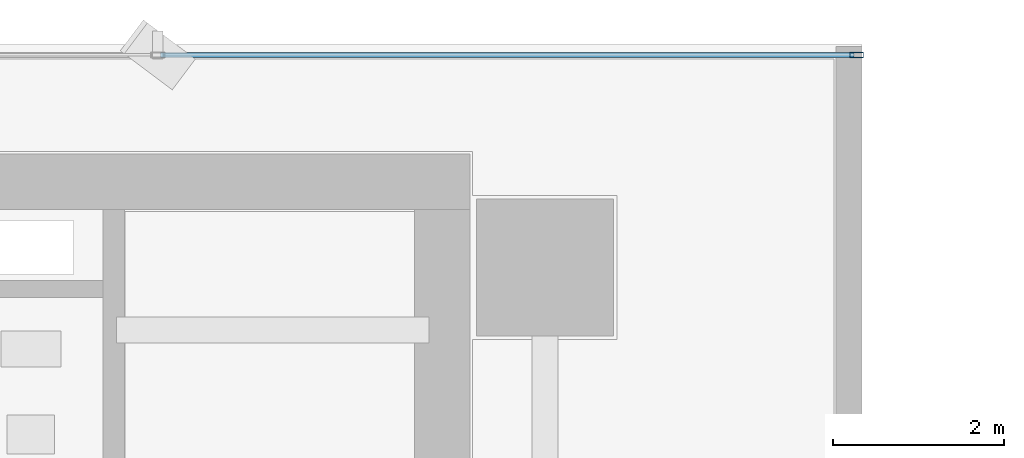
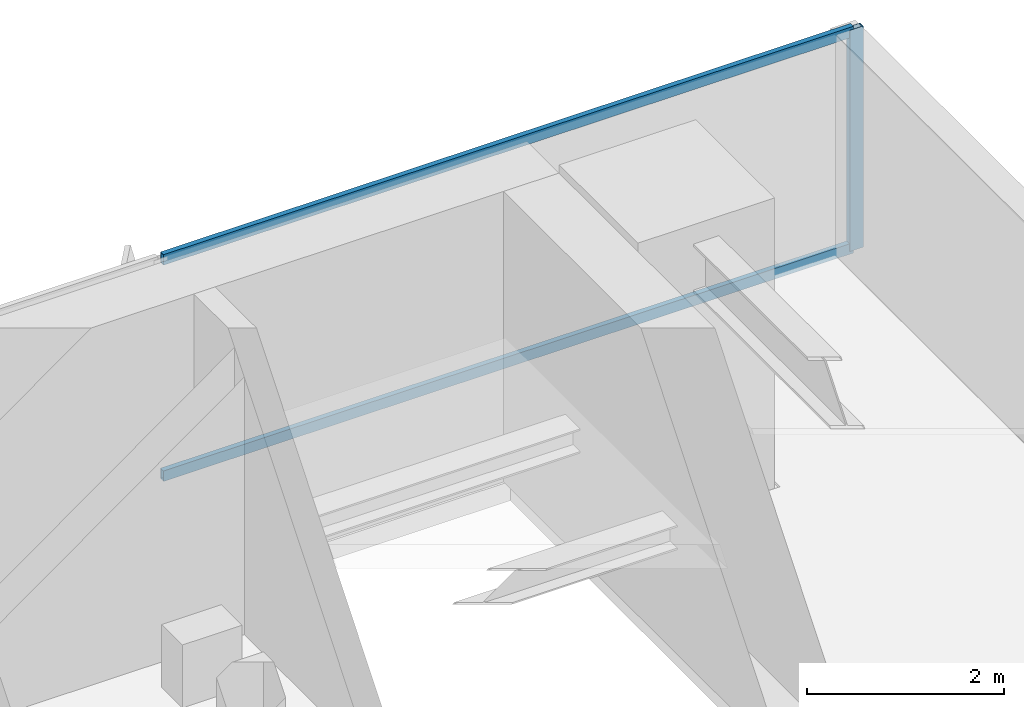
# One storey, part 26 of 36: 3 members, 1 element without a shape of its own.
"""IFC4 building model written with IfcOpenShell, lengths in metres."""

from ifc_helpers import new_model, si_unit, direction, frame, origin, origin_2d, place, context, subcontext, project, spatial, hollow_rectangle, extrude, source, transform, mapped, material, layer, layer_set, material_profile, profile_set, type_object, element, aggregate, save


model = new_model("IFC4")

# Units and contexts
model_context = context("Model", 3, precision=1e-05, world=origin(), true_north=direction((0.0, 1.0)))
body_context = subcontext(model_context, "Body", "Model", "MODEL_VIEW")
ifc_project = project(units=[si_unit("LENGTHUNIT", "METRE"), si_unit("AREAUNIT", "SQUARE_METRE"), si_unit("VOLUMEUNIT", "CUBIC_METRE"), si_unit("PLANEANGLEUNIT", "RADIAN"), si_unit("MASSUNIT", "GRAM", prefix="KILO")], contexts=[model_context])

# Site, building, storey
site_placement = place(None, origin())
site = spatial("IfcSite", under=ifc_project, at=site_placement, CompositionType="ELEMENT")
building_placement = place(site_placement, origin())
building = spatial("IfcBuilding", under=site, at=building_placement, Name="Sumidabori Civic Tower", CompositionType="ELEMENT")
storey_placement = place(building_placement, frame((0.0, 0.0, 84.800048828125)))
storey = spatial("IfcBuildingStorey", under=building, at=storey_placement, Name="L21", CompositionType="ELEMENT", Elevation=84.800048828125)

# Curtain wall, members
ifc_material = material(Name="Anodised Bronze Aluminium AW-6063-T6", Category="aluminium")
ifc_layer = layer(ifc_material, 0.179931640625, Name="Anodised Bronze Aluminium AW-6063-T6")
ifc_layer_set = layer_set([ifc_layer], Name="Anodised Bronze Aluminium AW-6063-T6")
curtain_wall_type = type_object("IfcCurtainWallType", Name="CW-SYS-3", PredefinedType="NOTDEFINED", material=ifc_layer_set)
curtain_wall_placement = place(storey_placement, origin())
curtain_wall = element("IfcCurtainWall", 1, at=curtain_wall_placement, inside=storey, type_object=curtain_wall_type, Name="Curtain Wall CW:L21:R07", PredefinedType="NOTDEFINED")
ifc_material_profile_1 = material_profile(ifc_material, hollow_rectangle(XDim=0.06494140625, YDim=0.159912109375, WallThickness=0.0048828125, at=origin_2d()), Name="ALU MULLION 160x65")
ifc_profile_set_1 = profile_set([ifc_material_profile_1], Name="Anodised Bronze Aluminium AW-6063-T6")
member_type_1 = type_object("IfcMemberType", Name="CW-MUL-160", PredefinedType="MULLION", material=ifc_profile_set_1)
shared_shape_1 = source(origin(), body_context, "Body", "SweptSolid", [
    extrude(hollow_rectangle(XDim=0.06494140625, YDim=0.159912109375, WallThickness=0.0048828125, at=origin_2d()), origin(), (0.0, 0.0, 1.0), 2.739990234375),
])
member_1_placement = place(storey_placement, frame((20.4375, 25.280029296875, 0.0), z_axis=(0.0, 0.0, 1.0), x_axis=(0.0, -1.0, 0.0)))
member_1 = element("IfcMember", 2, at=member_1_placement, type_object=member_type_1, Name="CW-3 mullion 1", PredefinedType="MULLION", context=body_context, shape_type="MappedRepresentation", body=[
    mapped(shared_shape_1, transform((0.0, 0.0, 0.0), x_axis=(1.0, 0.0, 0.0), y_axis=(0.0, 1.0, 0.0), z_axis=(0.0, 0.0, 1.0), scale=1.0)),
])
ifc_material_profile_2 = material_profile(ifc_material, hollow_rectangle(XDim=0.06005859375, YDim=0.1298828125, WallThickness=0.0048828125, at=origin_2d()), Name="ALU TRANSOM 130x60")
ifc_profile_set_2 = profile_set([ifc_material_profile_2], Name="Anodised Bronze Aluminium AW-6063-T6")
member_type_2 = type_object("IfcMemberType", Name="CW-TRN-130", PredefinedType="USERDEFINED", material=ifc_profile_set_2)
shared_shape_2 = source(origin(), body_context, "Body", "SweptSolid", [
    extrude(hollow_rectangle(XDim=0.06005859375, YDim=0.1298828125, WallThickness=0.0048828125, at=origin_2d()), origin(), (0.0, 0.0, 1.0), 8.090576171875),
])
member_2_placement = place(storey_placement, frame((20.405029296875, 25.280029296875, 0.030029296875), z_axis=(-1.0, 0.0, 0.0), x_axis=(0.0, -1.0, 0.0)))
member_2 = element("IfcMember", 3, at=member_2_placement, type_object=member_type_2, Name="CW-3 transom 1.1", ObjectType="TRANSOM", PredefinedType="USERDEFINED", context=body_context, shape_type="MappedRepresentation", body=[
    mapped(shared_shape_2, transform((0.0, 0.0, 0.0), x_axis=(1.0, 0.0, 0.0), y_axis=(0.0, 1.0, 0.0), z_axis=(0.0, 0.0, 1.0), scale=1.0)),
])
member_3_placement = place(storey_placement, frame((20.405029296875, 25.280029296875, 2.7099609375), z_axis=(-1.0, 0.0, 0.0), x_axis=(0.0, -1.0, 0.0)))
member_3 = element("IfcMember", 4, at=member_3_placement, type_object=member_type_2, Name="CW-3 transom 1.2", ObjectType="TRANSOM", PredefinedType="USERDEFINED", context=body_context, shape_type="MappedRepresentation", body=[
    mapped(shared_shape_2, transform((0.0, 0.0, 0.0), x_axis=(1.0, 0.0, 0.0), y_axis=(0.0, 1.0, 0.0), z_axis=(0.0, 0.0, 1.0), scale=1.0)),
])
aggregate(curtain_wall, [member_1, member_2, member_3])

save(model, "model.ifc")
